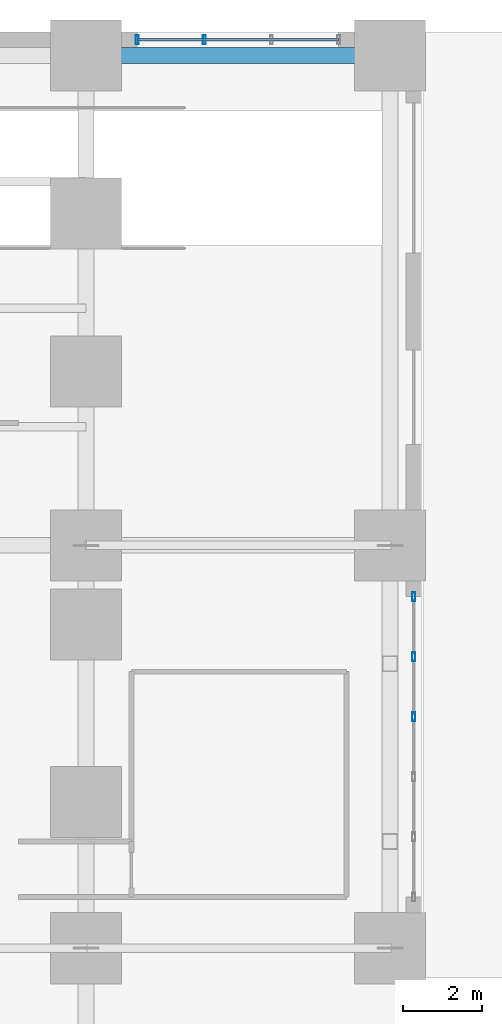
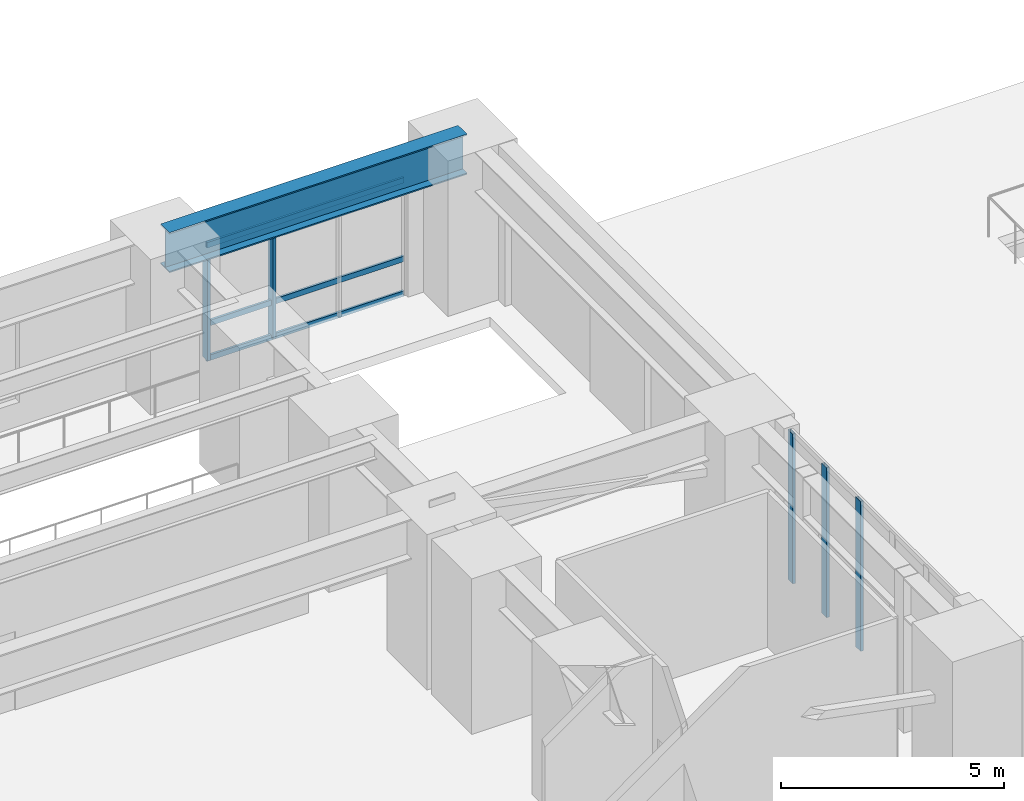
# One storey, part 8 of 23: 8 members, 1 beam, 2 elements without a shape of their own.
"""IFC4 building model written with IfcOpenShell, lengths in metres."""

import ifcopenshell
import ifcopenshell.guid

model = None  # the IFC model being written
_history = None  # IfcOwnerHistory: only IFC2X3 demands one
_inside = {}  # id of a spatial element -> (the spatial element, [elements in it])
_under = {}  # id of a project, library or spatial element -> (it, [spatial elements below it])
_declared = {}  # id of a project -> (the project, [libraries it declares])
_typed = {}  # id of a type object -> (the type object, [elements of that type])
_made_of = {}  # id of a material, layer set ... -> (it, [elements and type objects made of it])


def new_model(schema):
    """Start an empty IFC model of exactly this schema.

    Asked for "IFC4X3", IfcOpenShell would pick the latest addendum, in which some entities
    have other attributes; the version numbers below select the first issue.
    IFC2X3 requires an IfcOwnerHistory on every rooted entity: one is made here for all.
    """
    global model, _history
    if schema == "IFC4X3":
        model = ifcopenshell.file(schema_version=(4, 3, 0, 0))
    else:
        model = ifcopenshell.file(schema=schema)
    _inside.clear()
    _under.clear()
    _declared.clear()
    _typed.clear()
    _made_of.clear()
    _history = None
    if model.schema == "IFC2X3":
        org = make("IfcOrganization", Name="unknown")
        user = make(
            "IfcPersonAndOrganization",
            ThePerson=make("IfcPerson", FamilyName="unknown"),
            TheOrganization=org,
        )
        app = make(
            "IfcApplication",
            ApplicationDeveloper=org,
            Version="unknown",
            ApplicationFullName="unknown",
            ApplicationIdentifier="unknown",
        )
        _history = make(
            "IfcOwnerHistory",
            OwningUser=user,
            OwningApplication=app,
            ChangeAction="ADDED",
            CreationDate=0,
        )
    return model


def make(cls, **values):
    """One entity of the class cls with the attributes given. An attribute that is None is left unset."""
    return model.create_entity(
        cls, **{name: value for name, value in values.items() if value is not None}
    )


def rooted(cls, **values):
    """An entity with a GlobalId (a new one), such as an element, a storey or a relation."""
    return make(cls, GlobalId=ifcopenshell.guid.new(), OwnerHistory=_history, **values)


def si_unit(unit_type, name, prefix=None):
    """IfcSIUnit, for example si_unit("LENGTHUNIT", "METRE", prefix="MILLI")."""
    return make("IfcSIUnit", UnitType=unit_type, Prefix=prefix, Name=name)


def assignment(units):
    """IfcUnitAssignment: the units of a project."""
    return None if units is None else make("IfcUnitAssignment", Units=units)


def point(xyz):
    """IfcCartesianPoint."""
    return None if xyz is None else make("IfcCartesianPoint", Coordinates=xyz)


def direction(xyz):
    """IfcDirection."""
    return None if xyz is None else make("IfcDirection", DirectionRatios=xyz)


def frame(location, z_axis=None, x_axis=None):
    """IfcAxis2Placement3D, a coordinate frame: its origin and axes. An axis left out is left unset."""
    return make(
        "IfcAxis2Placement3D",
        Location=point(location),
        Axis=direction(z_axis),
        RefDirection=direction(x_axis),
    )


def frame_2d(location, x_axis=None):
    """IfcAxis2Placement2D, a coordinate frame in the plane: its origin and x axis."""
    return make(
        "IfcAxis2Placement2D", Location=point(location), RefDirection=direction(x_axis)
    )


def origin():
    """The frame at (0, 0, 0) with its axes left unset."""
    return frame((0.0, 0.0, 0.0))


def origin_2d():
    """The frame at (0, 0) in the plane with its x axis left unset."""
    return frame_2d((0.0, 0.0))


def place(relative_to, where):
    """IfcLocalPlacement: puts the frame where relative to a parent placement (None: the world)."""
    return make(
        "IfcLocalPlacement", PlacementRelTo=relative_to, RelativePlacement=where
    )


def context(
    kind, dimensions, precision=None, world=None, true_north=None, identifier=None
):
    """IfcGeometricRepresentationContext, for example the 3D "Model" context."""
    return make(
        "IfcGeometricRepresentationContext",
        ContextIdentifier=identifier,
        ContextType=kind,
        CoordinateSpaceDimension=dimensions,
        Precision=precision,
        WorldCoordinateSystem=world,
        TrueNorth=true_north,
    )


def subcontext(parent, identifier, kind, view, scale=None):
    """IfcGeometricRepresentationSubContext, for example "Body" below "Model"."""
    return make(
        "IfcGeometricRepresentationSubContext",
        ContextIdentifier=identifier,
        ContextType=kind,
        ParentContext=parent,
        TargetScale=scale,
        TargetView=view,
    )


def project(units=None, contexts=None):
    """IfcProject with its units and contexts."""
    return rooted(
        "IfcProject",
        Name="project",
        RepresentationContexts=contexts,
        UnitsInContext=assignment(units),
    )


def spatial(cls, under=None, at=None, **own):
    """A site, building, storey or space (cls), placed at a placement, below another one or the project."""
    s = rooted(cls, ObjectPlacement=at, **own)
    if under is not None:
        _under.setdefault(under.id(), (under, []))[1].append(s)
    return s


def profile(cls, at=None, kind="AREA", **sizes):
    """A parametric profile (cls). Its sizes go by their IFC names, for example OverallWidth=200.0."""
    return make(cls, ProfileType=kind, Position=at, **sizes)


def hollow_rectangle(**sizes):
    """IfcRectangleHollowProfileDef."""
    return profile("IfcRectangleHollowProfileDef", **sizes)


def i_section(**sizes):
    """IfcIShapeProfileDef."""
    return profile("IfcIShapeProfileDef", **sizes)


def extrude(swept, where, along, depth):
    """IfcExtrudedAreaSolid: the profile swept, set in the frame where, extruded along a direction by depth."""
    return make(
        "IfcExtrudedAreaSolid",
        SweptArea=swept,
        Position=where,
        ExtrudedDirection=direction(along),
        Depth=depth,
    )


def shape(context_of_items, identifier, shape_type, items):
    """IfcShapeRepresentation: the items that make up one representation, for example the "Body"."""
    return make(
        "IfcShapeRepresentation",
        ContextOfItems=context_of_items,
        RepresentationIdentifier=identifier,
        RepresentationType=shape_type,
        Items=items,
    )


def source(mapping_origin, context_of_items, identifier, shape_type, items):
    """IfcRepresentationMap: a shape defined once, which mapped items show again and again."""
    return make(
        "IfcRepresentationMap",
        MappingOrigin=mapping_origin,
        MappedRepresentation=shape(context_of_items, identifier, shape_type, items),
    )


def transform(
    local_origin,
    x_axis=None,
    y_axis=None,
    z_axis=None,
    scale=None,
    scale2=None,
    scale3=None,
    uniform=True,
):
    """IfcCartesianTransformationOperator3D, or its non-uniform kind. x_axis, y_axis, z_axis: its Axis1, 2, 3."""
    if uniform:
        return make(
            "IfcCartesianTransformationOperator3D",
            Axis1=direction(x_axis),
            Axis2=direction(y_axis),
            LocalOrigin=point(local_origin),
            Scale=scale,
            Axis3=direction(z_axis),
        )
    return make(
        "IfcCartesianTransformationOperator3DnonUniform",
        Axis1=direction(x_axis),
        Axis2=direction(y_axis),
        LocalOrigin=point(local_origin),
        Scale=scale,
        Axis3=direction(z_axis),
        Scale2=scale2,
        Scale3=scale3,
    )


def mapped(mapping_source, mapping_target):
    """IfcMappedItem: shows the shape of a source again, moved by a transform."""
    return make(
        "IfcMappedItem", MappingSource=mapping_source, MappingTarget=mapping_target
    )


def material(Name=None, Category=None):
    """IfcMaterial."""
    return make("IfcMaterial", Name=Name, Category=Category)


def layer(
    of_material, thickness, ventilated=None, Name=None, Category=None, Priority=None
):
    """IfcMaterialLayer: one layer of a wall or slab, of a material (None: an air gap)."""
    return make(
        "IfcMaterialLayer",
        Material=of_material,
        LayerThickness=thickness,
        IsVentilated=ventilated,
        Name=Name,
        Category=Category,
        Priority=Priority,
    )


def layer_set(layers, Name=None):
    """IfcMaterialLayerSet."""
    return make("IfcMaterialLayerSet", MaterialLayers=layers, LayerSetName=Name)


def material_profile(
    of_material, cross_section, Name=None, Category=None, Priority=None
):
    """IfcMaterialProfile: a cross section and its material."""
    return make(
        "IfcMaterialProfile",
        Name=Name,
        Material=of_material,
        Profile=cross_section,
        Priority=Priority,
        Category=Category,
    )


def profile_set(profiles, Name=None, composite=None):
    """IfcMaterialProfileSet."""
    return make(
        "IfcMaterialProfileSet",
        Name=Name,
        MaterialProfiles=profiles,
        CompositeProfile=composite,
    )


def made_of(thing, what):
    """Note that an element or type object is made of a material, layer set ...; save() writes the relation."""
    if what is not None:
        _made_of.setdefault(what.id(), (what, []))[1].append(thing)
    return thing


def type_object(cls, material=None, **own):
    """A type object (cls), such as IfcWallType, which elements share."""
    return made_of(rooted(cls, **own), material)


def element(
    cls,
    number,
    at=None,
    inside=None,
    cuts=None,
    type_object=None,
    material=None,
    context=None,
    identifier="Body",
    shape_type=None,
    held_by="IfcProductDefinitionShape",
    body=None,
    shapes=None,
    **own,
):
    """One element of the class cls, such as IfcWall. Its Tag is "e" and its number.

    at: its placement. inside: the storey or other place that contains it. cuts: it is an
    opening in that element (IfcRelVoidsElement). A single representation is given by context,
    identifier, shape_type and body (its items); several are given by shapes. held_by: the class
    of the entity that holds the representations. save() writes the other relations.
    """
    e = rooted(cls, Tag="e%d" % number, ObjectPlacement=at, **own)
    if body is not None:
        shapes = [shape(context, identifier, shape_type, body)]
    if shapes is not None:
        e.Representation = make(held_by, Representations=shapes)
    if inside is not None:
        _inside.setdefault(inside.id(), (inside, []))[1].append(e)
    if cuts is not None:
        rooted(
            "IfcRelVoidsElement", RelatingBuildingElement=cuts, RelatedOpeningElement=e
        )
    if type_object is not None:
        _typed.setdefault(type_object.id(), (type_object, []))[1].append(e)
    return made_of(e, material)


def aggregate(whole, parts):
    """IfcRelAggregates: a whole, such as a stair, and the parts it consists of."""
    return rooted("IfcRelAggregates", RelatingObject=whole, RelatedObjects=parts)


def save(model, path):
    """Write the relations noted so far, then the file.

    IfcRelAggregates (storeys below a building ...), IfcRelContainedInSpatialStructure (elements
    in a storey), IfcRelDefinesByType, IfcRelAssociatesMaterial and IfcRelDeclares: one each for
    every whole, place, type object, material and project.
    """
    for whole, parts in _under.values():
        aggregate(whole, parts)
    for where, things in _inside.values():
        rooted(
            "IfcRelContainedInSpatialStructure",
            RelatedElements=things,
            RelatingStructure=where,
        )
    for kind, things in _typed.values():
        rooted("IfcRelDefinesByType", RelatedObjects=things, RelatingType=kind)
    for what, things in _made_of.values():
        rooted("IfcRelAssociatesMaterial", RelatedObjects=things, RelatingMaterial=what)
    for by, libraries in _declared.values():
        rooted("IfcRelDeclares", RelatingContext=by, RelatedDefinitions=libraries)
    model.write(path)


model = new_model("IFC4")

# Units and contexts
model_context = context("Model", 3, precision=1e-05, world=origin(), true_north=direction((0.0, 1.0)))
body_context = subcontext(model_context, "Body", "Model", "MODEL_VIEW")
ifc_project = project(units=[si_unit("LENGTHUNIT", "METRE"), si_unit("AREAUNIT", "SQUARE_METRE"), si_unit("VOLUMEUNIT", "CUBIC_METRE"), si_unit("PLANEANGLEUNIT", "RADIAN"), si_unit("MASSUNIT", "GRAM", prefix="KILO")], contexts=[model_context])

# Site, building, storey
site_placement = place(None, origin())
site = spatial("IfcSite", under=ifc_project, at=site_placement, CompositionType="ELEMENT")
building_placement = place(site_placement, origin())
building = spatial("IfcBuilding", under=site, at=building_placement, Name="Kharzan Plaza Tower", CompositionType="ELEMENT")
storey_placement = place(building_placement, origin())
storey = spatial("IfcBuildingStorey", under=building, at=storey_placement, Name="L00", CompositionType="ELEMENT", Elevation=0.0)

# Beam
ifc_material_1 = material(Name="Steel S355", Category="steel")
ifc_material_profile_1 = material_profile(ifc_material_1, i_section(OverallWidth=0.39990234375, OverallDepth=1.10009765625, WebThickness=0.02001953125, FlangeThickness=0.035888671875, at=origin_2d()), Name="W1100x390")
ifc_profile_set_1 = profile_set([ifc_material_profile_1], Name="Steel S355")
beam_type = type_object("IfcBeamType", Name="BM-PG1100B", PredefinedType="BEAM", material=ifc_profile_set_1)
shared_shape_1 = source(origin(), body_context, "Body", "SweptSolid", [
    extrude(i_section(OverallWidth=0.39990234375, OverallDepth=1.10009765625, WebThickness=0.02001953125, FlangeThickness=0.035888671875, at=origin_2d()), origin(), (0.0, 0.0, 1.0), 7.699951171875),
])
beam_placement = place(storey_placement, frame((19.0, 49.39990234375, 3.699951171875), z_axis=(1.0, 0.0, 0.0), x_axis=(0.0, 1.0, 0.0)))
element("IfcBeam", 1, at=beam_placement, inside=storey, type_object=beam_type, Name="L00 Podium Primary Girder PG-11", PredefinedType="BEAM", context=body_context, shape_type="MappedRepresentation", body=[
    mapped(shared_shape_1, transform((0.0, 0.0, 0.0), x_axis=(1.0, 0.0, 0.0), y_axis=(0.0, 1.0, 0.0), z_axis=(0.0, 0.0, 1.0))),
])

# Curtain wall, members
ifc_material_2 = material(Name="Unitised Bronze-Anodized Aluminium and Low-E Glass", Category="aluminium")
ifc_layer_1 = layer(ifc_material_2, 0.199951171875)
ifc_layer_set_1 = layer_set([ifc_layer_1], Name="Unitised Bronze-Anodized Aluminium and Low-E Glass")
curtain_wall_type_1 = type_object("IfcCurtainWallType", Name="CW-PLAZA-2", PredefinedType="NOTDEFINED", material=ifc_layer_set_1)
curtain_wall_1_placement = place(storey_placement, origin())
curtain_wall_1 = element("IfcCurtainWall", 2, at=curtain_wall_1_placement, inside=storey, type_object=curtain_wall_type_1, Name="L00 Plaza Oculus Colonnade Vestibule Curtain Wall", PredefinedType="NOTDEFINED")
ifc_material_3 = material(Name="Anodized Bronze Aluminium", Category="aluminium")
ifc_material_profile_2 = material_profile(ifc_material_3, hollow_rectangle(XDim=0.074951171875, YDim=0.219970703125, WallThickness=0.00390625, at=origin_2d()), Name="ALU-M220x75x4")
ifc_profile_set_2 = profile_set([ifc_material_profile_2], Name="Anodized Bronze Aluminium")
member_type_1 = type_object("IfcMemberType", Name="MEM-CW-MUL200", PredefinedType="MULLION", material=ifc_profile_set_2)
shared_shape_2 = source(origin(), body_context, "Body", "SweptSolid", [
    extrude(hollow_rectangle(XDim=0.074951171875, YDim=0.219970703125, WallThickness=0.00390625, at=origin_2d()), origin(), (0.0, 0.0, 1.0), 4.10009765625),
])
member_1_placement = place(storey_placement, frame((27.300048828125, 32.659912109375, 0.0), z_axis=(0.0, 0.0, 1.0), x_axis=(1.0, 0.0, 0.0)))
member_1 = element("IfcMember", 3, at=member_1_placement, type_object=member_type_1, Name="L00 Curtain-Wall Mullion 03", PredefinedType="MULLION", context=body_context, shape_type="MappedRepresentation", body=[
    mapped(shared_shape_2, transform((0.0, 0.0, 0.0), x_axis=(1.0, 0.0, 0.0), y_axis=(0.0, 1.0, 0.0), z_axis=(0.0, 0.0, 1.0))),
])
member_2_placement = place(storey_placement, frame((27.300048828125, 34.179931640625, 0.0), z_axis=(0.0, 0.0, 1.0), x_axis=(1.0, 0.0, 0.0)))
member_2 = element("IfcMember", 4, at=member_2_placement, type_object=member_type_1, Name="L00 Curtain-Wall Mullion 04", PredefinedType="MULLION", context=body_context, shape_type="MappedRepresentation", body=[
    mapped(shared_shape_2, transform((0.0, 0.0, 0.0), x_axis=(1.0, 0.0, 0.0), y_axis=(0.0, 1.0, 0.0), z_axis=(0.0, 0.0, 1.0))),
])
member_3_placement = place(storey_placement, frame((27.300048828125, 35.699951171875, 0.0), z_axis=(0.0, 0.0, 1.0), x_axis=(1.0, 0.0, 0.0)))
member_3 = element("IfcMember", 5, at=member_3_placement, type_object=member_type_1, Name="L00 Curtain-Wall Mullion 05", PredefinedType="MULLION", context=body_context, shape_type="MappedRepresentation", body=[
    mapped(shared_shape_2, transform((0.0, 0.0, 0.0), x_axis=(1.0, 0.0, 0.0), y_axis=(0.0, 1.0, 0.0), z_axis=(0.0, 0.0, 1.0))),
])
aggregate(curtain_wall_1, [member_1, member_2, member_3])

ifc_layer_2 = layer(ifc_material_2, 0.199951171875)
ifc_layer_set_2 = layer_set([ifc_layer_2], Name="Unitised Bronze-Anodized Aluminium and Low-E Glass")
curtain_wall_type_2 = type_object("IfcCurtainWallType", Name="CW-PODIUM-1", PredefinedType="NOTDEFINED", material=ifc_layer_set_2)
curtain_wall_2_placement = place(storey_placement, origin())
curtain_wall_2 = element("IfcCurtainWall", 6, at=curtain_wall_2_placement, inside=storey, type_object=curtain_wall_type_2, Name="L00 Podium North Gallery Curtain Wall", PredefinedType="NOTDEFINED")
shared_shape_3 = source(origin(), body_context, "Body", "SweptSolid", [
    extrude(hollow_rectangle(XDim=0.074951171875, YDim=0.219970703125, WallThickness=0.00390625, at=origin_2d()), origin(), (0.0, 0.0, 1.0), 3.10009765625),
])
member_4_placement = place(storey_placement, frame((20.300048828125, 49.800048828125, 0.0), z_axis=(0.0, 0.0, 1.0), x_axis=(1.0, 0.0, 0.0)))
member_4 = element("IfcMember", 7, at=member_4_placement, type_object=member_type_1, Name="L00 Curtain-Wall Mullion 00", PredefinedType="MULLION", context=body_context, shape_type="MappedRepresentation", body=[
    mapped(shared_shape_3, transform((0.0, 0.0, 0.0), x_axis=(1.0, 0.0, 0.0), y_axis=(0.0, 1.0, 0.0), z_axis=(0.0, 0.0, 1.0))),
])
member_5_placement = place(storey_placement, frame((22.0, 49.800048828125, 0.0), z_axis=(0.0, 0.0, 1.0), x_axis=(1.0, 0.0, 0.0)))
member_5 = element("IfcMember", 8, at=member_5_placement, type_object=member_type_1, Name="L00 Curtain-Wall Mullion 01", PredefinedType="MULLION", context=body_context, shape_type="MappedRepresentation", body=[
    mapped(shared_shape_3, transform((0.0, 0.0, 0.0), x_axis=(1.0, 0.0, 0.0), y_axis=(0.0, 1.0, 0.0), z_axis=(0.0, 0.0, 1.0))),
])
ifc_material_profile_3 = material_profile(ifc_material_3, hollow_rectangle(XDim=0.06005859375, YDim=0.14990234375, WallThickness=0.00341796875, at=origin_2d()), Name="ALU-T150x60x3.5")
ifc_profile_set_3 = profile_set([ifc_material_profile_3], Name="Anodized Bronze Aluminium")
member_type_2 = type_object("IfcMemberType", Name="MEM-CW-TRN150", PredefinedType="USERDEFINED", material=ifc_profile_set_3)
shared_shape_4 = source(origin(), body_context, "Body", "SweptSolid", [
    extrude(hollow_rectangle(XDim=0.06005859375, YDim=0.14990234375, WallThickness=0.00341796875, at=origin_2d()), origin(), (0.0, 0.0, 1.0), 5.099853515625),
])
member_6_placement = place(storey_placement, frame((20.300048828125, 49.800048828125, 0.0), z_axis=(1.0, 0.0, 0.0), x_axis=(0.0, 1.0, 0.0)))
member_6 = element("IfcMember", 9, at=member_6_placement, type_object=member_type_2, Name="L00 Curtain-Wall Transom 1", ObjectType="TRANSOM", PredefinedType="USERDEFINED", context=body_context, shape_type="MappedRepresentation", body=[
    mapped(shared_shape_4, transform((0.0, 0.0, 0.0), x_axis=(1.0, 0.0, 0.0), y_axis=(0.0, 1.0, 0.0), z_axis=(0.0, 0.0, 1.0))),
])
member_7_placement = place(storey_placement, frame((20.300048828125, 49.800048828125, 0.949951171875), z_axis=(1.0, 0.0, 0.0), x_axis=(0.0, 1.0, 0.0)))
member_7 = element("IfcMember", 10, at=member_7_placement, type_object=member_type_2, Name="L00 Curtain-Wall Transom 2", ObjectType="TRANSOM", PredefinedType="USERDEFINED", context=body_context, shape_type="MappedRepresentation", body=[
    mapped(shared_shape_4, transform((0.0, 0.0, 0.0), x_axis=(1.0, 0.0, 0.0), y_axis=(0.0, 1.0, 0.0), z_axis=(0.0, 0.0, 1.0))),
])
member_8_placement = place(storey_placement, frame((20.300048828125, 49.800048828125, 3.10009765625), z_axis=(1.0, 0.0, 0.0), x_axis=(0.0, 1.0, 0.0)))
member_8 = element("IfcMember", 11, at=member_8_placement, type_object=member_type_2, Name="L00 Curtain-Wall Transom 3", ObjectType="TRANSOM", PredefinedType="USERDEFINED", context=body_context, shape_type="MappedRepresentation", body=[
    mapped(shared_shape_4, transform((0.0, 0.0, 0.0), x_axis=(1.0, 0.0, 0.0), y_axis=(0.0, 1.0, 0.0), z_axis=(0.0, 0.0, 1.0))),
])
aggregate(curtain_wall_2, [member_4, member_5, member_6, member_7, member_8])

save(model, "model.ifc")
